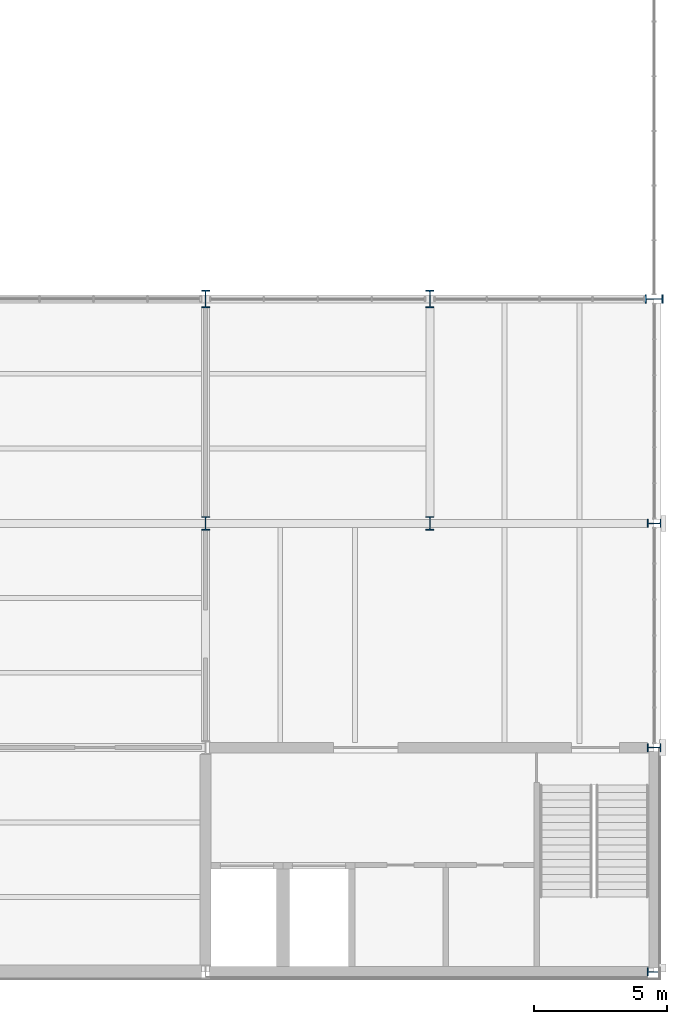
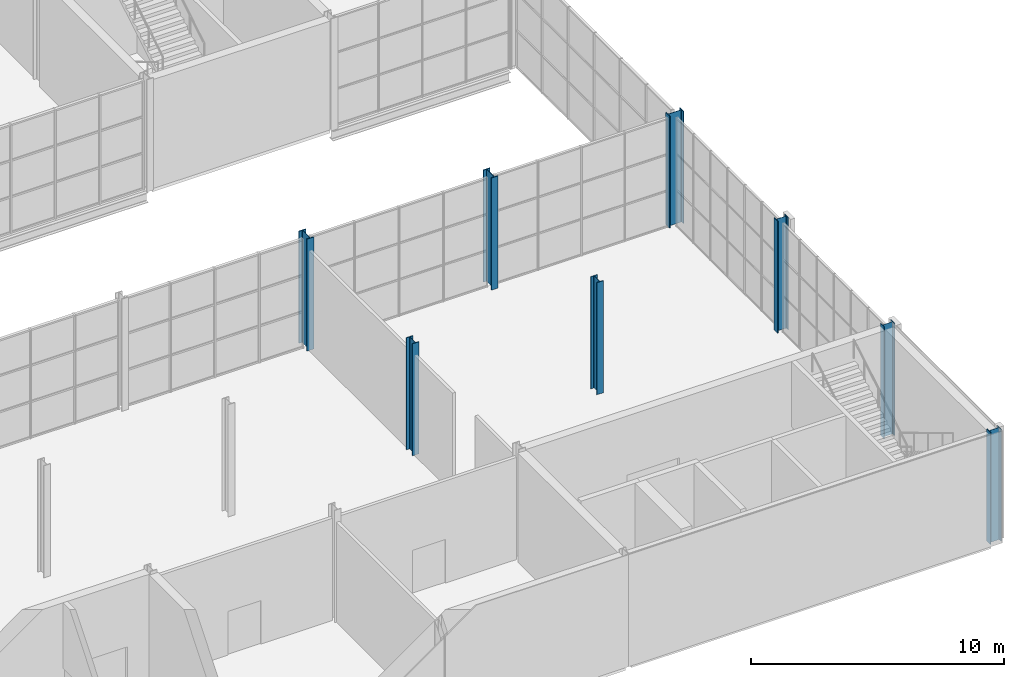
# One storey, part 6 of 64: 8 columns.
"""IFC4 building model written with IfcOpenShell, lengths in metres."""

from ifc_helpers import new_model, si_unit, direction, frame, origin, origin_2d, place, context, subcontext, project, spatial, i_section, extrude, material, material_profile, profile_set, type_object, element, save


model = new_model("IFC4")

# Units and contexts
model_context = context("Model", 3, precision=1e-05, world=origin(), true_north=direction((0.0, 1.0)))
body_context = subcontext(model_context, "Body", "Model", "MODEL_VIEW")
ifc_project = project(units=[si_unit("LENGTHUNIT", "METRE"), si_unit("AREAUNIT", "SQUARE_METRE"), si_unit("VOLUMEUNIT", "CUBIC_METRE"), si_unit("PLANEANGLEUNIT", "RADIAN"), si_unit("MASSUNIT", "GRAM", prefix="KILO")], contexts=[model_context])

# Site, building, storey
site_placement = place(None, origin())
site = spatial("IfcSite", under=ifc_project, at=site_placement, CompositionType="ELEMENT")
building_placement = place(site_placement, origin())
building = spatial("IfcBuilding", under=site, at=building_placement, Name="Galleria Vessillo Department Store", CompositionType="ELEMENT")
storey_placement = place(building_placement, frame((0.0, 0.0, 6.0)))
storey = spatial("IfcBuildingStorey", under=building, at=storey_placement, Name="L01", CompositionType="ELEMENT", Elevation=6.0)

# Columns
ifc_material_1 = material(Name="Steel S355 J2", Category="steel")
ifc_material_profile_1 = material_profile(ifc_material_1, i_section(OverallWidth=0.300048828125, OverallDepth=0.5, WebThickness=0.014404296875, FlangeThickness=0.028076171875, FilletRadius=0.027099609375, at=origin_2d()), Name="HEB 500")
ifc_profile_set_1 = profile_set([ifc_material_profile_1], Name="Steel S355 J2")
column_type_1 = type_object("IfcColumnType", Name="Steel column HEB 500 CP1", PredefinedType="COLUMN", material=ifc_profile_set_1)
for number, where, z_axis, x_axis, name in (
    (1, (100.800048828125, 16.800048828125, 0.0), (0.0, 0.0, 1.0), (1.0, 0.0, 0.0), "S-COL-L01-13-C"),
    (2, (109.199951171875, 16.800048828125, 0.0), (0.0, 0.0, 1.0), (1.0, 0.0, 0.0), "S-COL-L01-14-C"),
    (3, (117.60009765625, 0.0, 0.0), (0.0, 0.0, 1.0), (0.0, 1.0, 0.0), "S-COL-L01-15-A"),
    (4, (117.60009765625, 8.39990234375, 0.0), (0.0, 0.0, 1.0), (0.0, 1.0, 0.0), "S-COL-L01-15-B"),
    (5, (117.60009765625, 16.800048828125, 0.0), (0.0, 0.0, 1.0), (0.0, 1.0, 0.0), "S-COL-L01-15-C"),
):
    element("IfcColumn", number, at=place(storey_placement, frame(where, z_axis=z_axis, x_axis=x_axis)), inside=storey, type_object=column_type_1, Name=name, PredefinedType="COLUMN", context=body_context, shape_type="SweptSolid", body=[
        extrude(i_section(OverallWidth=0.300048828125, OverallDepth=0.5, WebThickness=0.014404296875, FlangeThickness=0.028076171875, FilletRadius=0.027099609375, at=origin_2d()), origin(), (0.0, 0.0, 1.0), 5.39990234375),
    ])
ifc_material_2 = material(Name="Steel S355 J2", Category="steel")
ifc_material_profile_2 = material_profile(ifc_material_2, i_section(OverallWidth=0.304931640625, OverallDepth=0.66796875, WebThickness=0.02099609375, FlangeThickness=0.0400390625, FilletRadius=0.027099609375, at=origin_2d()), Name="HEM 650")
ifc_profile_set_2 = profile_set([ifc_material_profile_2], Name="Steel S355 J2")
column_type_2 = type_object("IfcColumnType", Name="Steel column HEM 650 CV3", PredefinedType="COLUMN", material=ifc_profile_set_2)
for number, where, z_axis, x_axis, name in (
    (6, (100.800048828125, 25.199951171875, 0.0), (0.0, 0.0, 1.0), (1.0, 0.0, 0.0), "S-COL-L01-13-D"),
    (7, (109.199951171875, 25.199951171875, 0.0), (0.0, 0.0, 1.0), (1.0, 0.0, 0.0), "S-COL-L01-14-D"),
    (8, (117.60009765625, 25.199951171875, 0.0), (0.0, 0.0, 1.0), (0.0, 1.0, 0.0), "S-COL-L01-15-D"),
):
    element("IfcColumn", number, at=place(storey_placement, frame(where, z_axis=z_axis, x_axis=x_axis)), inside=storey, type_object=column_type_2, Name=name, PredefinedType="COLUMN", context=body_context, shape_type="SweptSolid", body=[
        extrude(i_section(OverallWidth=0.304931640625, OverallDepth=0.66796875, WebThickness=0.02099609375, FlangeThickness=0.0400390625, FilletRadius=0.027099609375, at=origin_2d()), origin(), (0.0, 0.0, 1.0), 5.39990234375),
    ])

save(model, "model.ifc")
